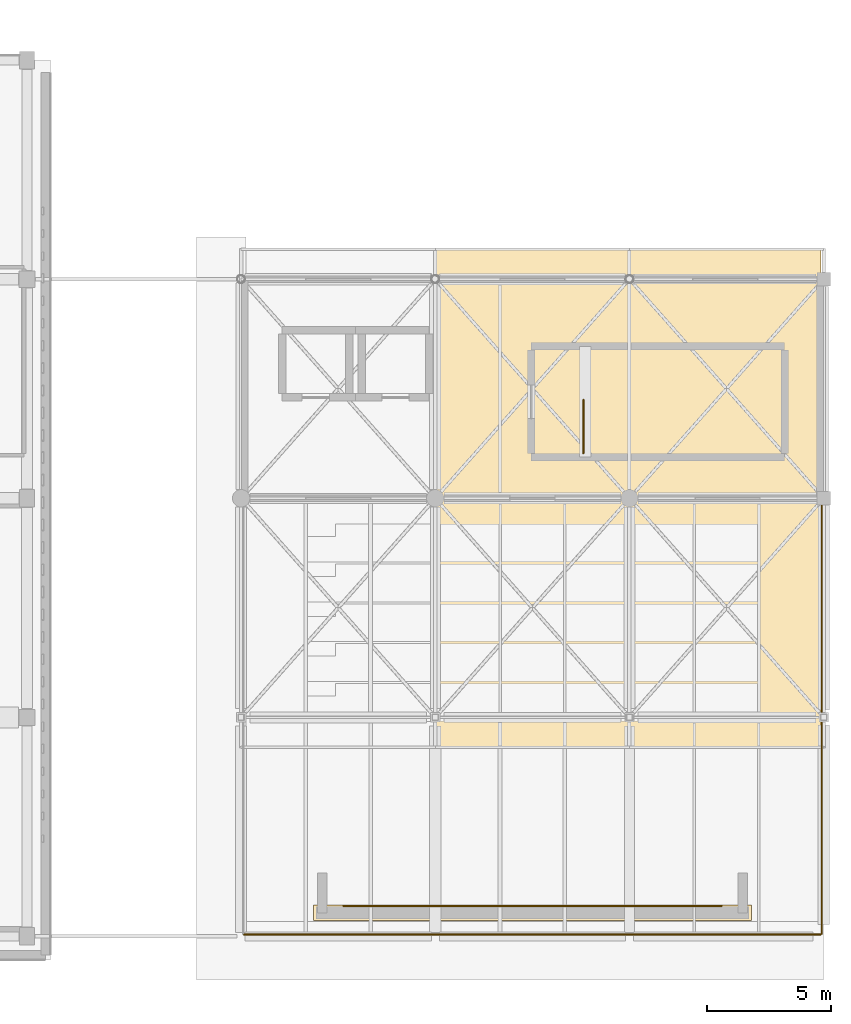
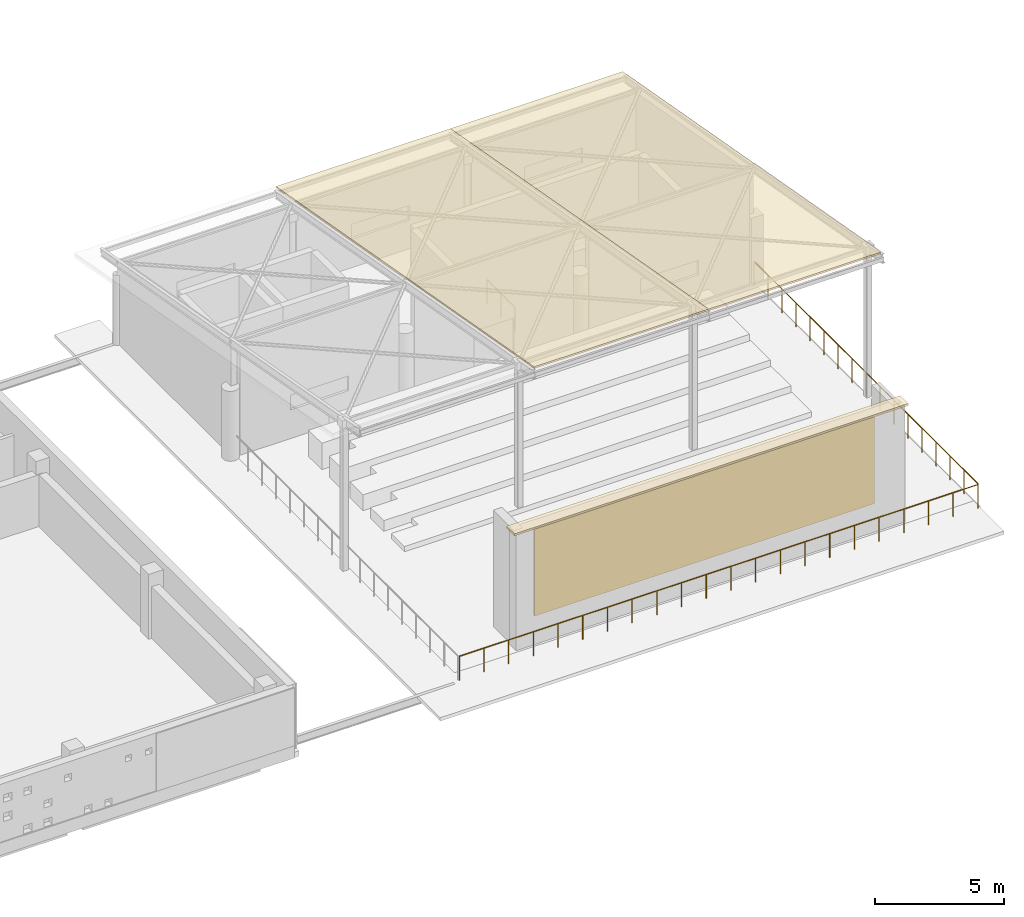
# One storey, part 34 of 34: 4 coverings, 3 railings.
"""IFC4 building model written with IfcOpenShell, lengths in metres."""

from ifc_helpers import new_model, si_unit, direction, frame, origin, origin_2d, place, context, subcontext, project, spatial, polyline, rectangle, circle, outline, extrude, material, layer, layer_set, type_object, element, save


model = new_model("IFC4")

# Units and contexts
model_context = context("Model", 3, precision=1e-05, world=origin(), true_north=direction((0.0, 1.0)))
body_context = subcontext(model_context, "Body", "Model", "MODEL_VIEW")
ifc_project = project(units=[si_unit("LENGTHUNIT", "METRE"), si_unit("AREAUNIT", "SQUARE_METRE"), si_unit("VOLUMEUNIT", "CUBIC_METRE"), si_unit("PLANEANGLEUNIT", "RADIAN"), si_unit("MASSUNIT", "GRAM", prefix="KILO")], contexts=[model_context])

# Site, building, storey
site_placement = place(None, origin())
site = spatial("IfcSite", under=ifc_project, at=site_placement, CompositionType="ELEMENT")
building_placement = place(site_placement, origin())
building = spatial("IfcBuilding", under=site, at=building_placement, Name="Varnakota Cinema and Media Centre", CompositionType="ELEMENT")
storey_placement = place(building_placement, frame((0.0, 0.0, 19.050048828125)))
storey = spatial("IfcBuildingStorey", under=building, at=storey_placement, Name="L05", CompositionType="ELEMENT", Elevation=19.050048828125)

# Coverings
ifc_material_1 = material(Name="Pale Tandur limestone cool roof", Category="masonry")
ifc_layer_1 = layer(ifc_material_1, 0.080078125)
ifc_layer_set_1 = layer_set([ifc_layer_1], Name="Pale Tandur limestone cool roof")
covering_type_1 = type_object("IfcCoveringType", Name="COV-COOLROOF-80", PredefinedType="ROOFING", material=ifc_layer_set_1)
covering_1_placement = place(storey_placement, frame((59.39990234375, 7.60009765625, 7.550048828125), z_axis=(0.0, 0.177157653077, 0.984182486105), x_axis=(1.0, 0.0, 0.0)))
element("IfcCovering", 1, at=covering_1_placement, inside=storey, type_object=covering_type_1, Name="V3 rooftop amphitheatre cool-roof panel 2", PredefinedType="ROOFING", context=body_context, shape_type="SweptSolid", body=[
    extrude(outline(polyline([(0.0, 0.0), (7.800048828125, 0.0), (7.800048828125, 20.321434573733637), (0.0, 20.321434573733637), (0.0, 0.0)])), origin(), (0.0, 0.0, -1.0), 0.070068359375),
])
covering_2_placement = place(storey_placement, frame((67.199951171875, 7.60009765625, 7.550048828125), z_axis=(0.0, 0.177157653077, 0.984182486105), x_axis=(1.0, 0.0, 0.0)))
element("IfcCovering", 2, at=covering_2_placement, inside=storey, type_object=covering_type_1, Name="V3 rooftop amphitheatre cool-roof panel 3", PredefinedType="ROOFING", context=body_context, shape_type="SweptSolid", body=[
    extrude(outline(polyline([(0.0, 0.0), (7.699951171875, 0.0), (7.699951171875, 20.321434573733637), (0.0, 20.321434573733637), (0.0, 0.0)])), origin(), (0.0, 0.0, -1.0), 0.070068359375),
])
ifc_material_2 = material(Name="Pale Tandur limestone projection screen", Category="masonry")
ifc_layer_2 = layer(ifc_material_2, 0.054931640625)
ifc_layer_set_2 = layer_set([ifc_layer_2], Name="Pale Tandur limestone projection screen")
covering_type_2 = type_object("IfcCoveringType", Name="COV-SCREEN-MATTE-55", PredefinedType="CLADDING", material=ifc_layer_set_2)
covering_3_placement = place(storey_placement, frame((63.300048828125, 1.215087890625, 0.949951171875), z_axis=(0.0, 0.0, 1.0), x_axis=(1.0, 0.0, 0.0)))
element("IfcCovering", 3, at=covering_3_placement, inside=storey, type_object=covering_type_2, Name="L05 open-air rooftop cinema projection screen surface", PredefinedType="CLADDING", context=body_context, shape_type="SweptSolid", body=[
    extrude(rectangle(XDim=15.199951171875, YDim=0.06005859375, at=origin_2d()), origin(), (0.0, 0.0, 1.0), 4.10009765625),
])
ifc_material_3 = material(Name="Pale Tandur limestone cladding", Category="masonry")
ifc_layer_3 = layer(ifc_material_3, 0.06005859375)
ifc_layer_set_3 = layer_set([ifc_layer_3], Name="Pale Tandur limestone cladding")
covering_type_3 = type_object("IfcCoveringType", Name="COV-TANDUR-ASHLAR-60", PredefinedType="CLADDING", material=ifc_layer_set_3)
covering_4_placement = place(storey_placement, frame((63.300048828125, 0.949951171875, 5.489990234375), z_axis=(0.0, 0.0, 1.0), x_axis=(1.0, 0.0, 0.0)))
element("IfcCovering", 4, at=covering_4_placement, inside=storey, type_object=covering_type_3, Name="L05 rooftop screen monolith stone coping", PredefinedType="CLADDING", context=body_context, shape_type="SweptSolid", body=[
    extrude(rectangle(XDim=17.60009765625, YDim=0.6201171875, at=origin_2d()), origin(), (0.0, 0.0, 1.0), 0.10009765625),
])

# Railings
ifc_material_4 = material(Name="Anodised golden-bronze steel Grade 350 (E350)", Category="steel")
ifc_layer_4 = layer(ifc_material_4, 0.050048828125)
ifc_layer_set_4 = layer_set([ifc_layer_4], Name="Anodised golden-bronze steel Grade 350 (E350)")
railing_type_1 = type_object("IfcRailingType", Name="RAIL-GUARD-1150", PredefinedType="BALUSTRADE", material=ifc_layer_set_4)
railing_1_placement = place(storey_placement, frame((51.7099609375, 0.080078125, 0.0)))
element("IfcRailing", 5, at=railing_1_placement, inside=storey, type_object=railing_type_1, Name="L05 guard balustrade GRD-L05-V3-2", PredefinedType="BALUSTRADE", context=body_context, shape_type="SweptSolid", body=[
    extrude(circle(Radius=0.02392578125, at=origin_2d()), frame((0.0, 0.0, 1.1259765625), z_axis=(1.0, 0.0, 0.0), x_axis=(0.0, 1.0, 0.0)), (0.0, 0.0, 1.0), 23.179931640625),
    extrude(circle(Radius=0.02099609375, at=origin_2d()), origin(), (0.0, 0.0, 1.0), 1.101806640625),
    extrude(circle(Radius=0.02099609375, at=origin_2d()), frame((1.103759765625, 0.0, 0.0)), (0.0, 0.0, 1.0), 1.101806640625),
    extrude(circle(Radius=0.02099609375, at=origin_2d()), frame((2.20751953125, 0.0, 0.0)), (0.0, 0.0, 1.0), 1.101806640625),
    extrude(circle(Radius=0.02099609375, at=origin_2d()), frame((3.3115234375, 0.0, 0.0)), (0.0, 0.0, 1.0), 1.101806640625),
    extrude(circle(Radius=0.02099609375, at=origin_2d()), frame((4.415283203125, 0.0, 0.0)), (0.0, 0.0, 1.0), 1.101806640625),
    extrude(circle(Radius=0.02099609375, at=origin_2d()), frame((5.51904296875, 0.0, 0.0)), (0.0, 0.0, 1.0), 1.101806640625),
    extrude(circle(Radius=0.02099609375, at=origin_2d()), frame((6.622802734375, 0.0, 0.0)), (0.0, 0.0, 1.0), 1.101806640625),
    extrude(circle(Radius=0.02099609375, at=origin_2d()), frame((7.7265625, 0.0, 0.0)), (0.0, 0.0, 1.0), 1.101806640625),
    extrude(circle(Radius=0.02099609375, at=origin_2d()), frame((8.83056640625, 0.0, 0.0)), (0.0, 0.0, 1.0), 1.101806640625),
    extrude(circle(Radius=0.02099609375, at=origin_2d()), frame((9.934326171875, 0.0, 0.0)), (0.0, 0.0, 1.0), 1.101806640625),
    extrude(circle(Radius=0.02099609375, at=origin_2d()), frame((11.0380859375, 0.0, 0.0)), (0.0, 0.0, 1.0), 1.101806640625),
    extrude(circle(Radius=0.02099609375, at=origin_2d()), frame((12.141845703125, 0.0, 0.0)), (0.0, 0.0, 1.0), 1.101806640625),
    extrude(circle(Radius=0.02099609375, at=origin_2d()), frame((13.24560546875, 0.0, 0.0)), (0.0, 0.0, 1.0), 1.101806640625),
    extrude(circle(Radius=0.02099609375, at=origin_2d()), frame((14.349365234375, 0.0, 0.0)), (0.0, 0.0, 1.0), 1.101806640625),
    extrude(circle(Radius=0.02099609375, at=origin_2d()), frame((15.453369140625, 0.0, 0.0)), (0.0, 0.0, 1.0), 1.101806640625),
    extrude(circle(Radius=0.02099609375, at=origin_2d()), frame((16.55712890625, 0.0, 0.0)), (0.0, 0.0, 1.0), 1.101806640625),
    extrude(circle(Radius=0.02099609375, at=origin_2d()), frame((17.660888671875, 0.0, 0.0)), (0.0, 0.0, 1.0), 1.101806640625),
    extrude(circle(Radius=0.02099609375, at=origin_2d()), frame((18.7646484375, 0.0, 0.0)), (0.0, 0.0, 1.0), 1.101806640625),
    extrude(circle(Radius=0.02099609375, at=origin_2d()), frame((19.868408203125, 0.0, 0.0)), (0.0, 0.0, 1.0), 1.101806640625),
    extrude(circle(Radius=0.02099609375, at=origin_2d()), frame((20.972412109375, 0.0, 0.0)), (0.0, 0.0, 1.0), 1.101806640625),
    extrude(circle(Radius=0.02099609375, at=origin_2d()), frame((22.076171875, 0.0, 0.0)), (0.0, 0.0, 1.0), 1.101806640625),
    extrude(circle(Radius=0.02099609375, at=origin_2d()), frame((23.179931640625, 0.0, 0.0)), (0.0, 0.0, 1.0), 1.101806640625),
])
railing_2_placement = place(storey_placement, frame((74.919921875, 0.110107421875, 0.0)))
element("IfcRailing", 6, at=railing_2_placement, inside=storey, type_object=railing_type_1, Name="L05 guard balustrade GRD-L05-V3-3", PredefinedType="BALUSTRADE", context=body_context, shape_type="SweptSolid", body=[
    extrude(circle(Radius=0.02392578125, at=origin_2d()), frame((0.0, 0.0, 1.1259765625), z_axis=(0.0, 1.0, 0.0), x_axis=(-1.0, 0.0, 0.0)), (0.0, 0.0, 1.0), 17.35986328125),
    extrude(circle(Radius=0.02099609375, at=origin_2d()), origin(), (0.0, 0.0, 1.0), 1.101806640625),
    extrude(circle(Radius=0.02099609375, at=origin_2d()), frame((0.0, 1.0849609375, 0.0)), (0.0, 0.0, 1.0), 1.101806640625),
    extrude(circle(Radius=0.02099609375, at=origin_2d()), frame((0.0, 2.169921875, 0.0)), (0.0, 0.0, 1.0), 1.101806640625),
    extrude(circle(Radius=0.02099609375, at=origin_2d()), frame((0.0, 3.2548828125, 0.0)), (0.0, 0.0, 1.0), 1.101806640625),
    extrude(circle(Radius=0.02099609375, at=origin_2d()), frame((0.0, 4.33984375, 0.0)), (0.0, 0.0, 1.0), 1.101806640625),
    extrude(circle(Radius=0.02099609375, at=origin_2d()), frame((0.0, 5.425048828125, 0.0)), (0.0, 0.0, 1.0), 1.101806640625),
    extrude(circle(Radius=0.02099609375, at=origin_2d()), frame((0.0, 6.510009765625, 0.0)), (0.0, 0.0, 1.0), 1.101806640625),
    extrude(circle(Radius=0.02099609375, at=origin_2d()), frame((0.0, 7.594970703125, 0.0)), (0.0, 0.0, 1.0), 1.101806640625),
    extrude(circle(Radius=0.02099609375, at=origin_2d()), frame((0.0, 8.679931640625, 0.0)), (0.0, 0.0, 1.0), 1.101806640625),
    extrude(circle(Radius=0.02099609375, at=origin_2d()), frame((0.0, 9.764892578125, 0.0)), (0.0, 0.0, 1.0), 1.101806640625),
    extrude(circle(Radius=0.02099609375, at=origin_2d()), frame((0.0, 10.849853515625, 0.0)), (0.0, 0.0, 1.0), 1.101806640625),
    extrude(circle(Radius=0.02099609375, at=origin_2d()), frame((0.0, 11.934814453125, 0.0)), (0.0, 0.0, 1.0), 1.101806640625),
    extrude(circle(Radius=0.02099609375, at=origin_2d()), frame((0.0, 13.02001953125, 0.0)), (0.0, 0.0, 1.0), 1.101806640625),
    extrude(circle(Radius=0.02099609375, at=origin_2d()), frame((0.0, 14.10498046875, 0.0)), (0.0, 0.0, 1.0), 1.101806640625),
    extrude(circle(Radius=0.02099609375, at=origin_2d()), frame((0.0, 15.18994140625, 0.0)), (0.0, 0.0, 1.0), 1.101806640625),
    extrude(circle(Radius=0.02099609375, at=origin_2d()), frame((0.0, 16.27490234375, 0.0)), (0.0, 0.0, 1.0), 1.101806640625),
    extrude(circle(Radius=0.02099609375, at=origin_2d()), frame((0.0, 17.35986328125, 0.0)), (0.0, 0.0, 1.0), 1.101806640625),
])
ifc_material_5 = material(Name="Structural steel Grade 350 (E350)", Category="steel")
ifc_layer_5 = layer(ifc_material_5, 0.050048828125)
ifc_layer_set_5 = layer_set([ifc_layer_5], Name="Structural steel Grade 350 (E350)")
railing_type_2 = type_object("IfcRailingType", Name="RAIL-STAIR-GUARD-1150", PredefinedType="GUARDRAIL", material=ifc_layer_set_5)
railing_3_placement = place(storey_placement, frame((65.35009765625, 19.39990234375, 0.0)))
element("IfcRailing", 7, at=railing_3_placement, inside=storey, type_object=railing_type_2, Name="L05 ST-04 top well guard 1", PredefinedType="GUARDRAIL", context=body_context, shape_type="SweptSolid", body=[
    extrude(circle(Radius=0.02392578125, at=origin_2d()), frame((0.0, 0.0, 1.1259765625), z_axis=(0.0, 1.0, 0.0), x_axis=(-1.0, 0.0, 0.0)), (0.0, 0.0, 1.0), 2.150146484375),
    extrude(circle(Radius=0.02099609375, at=origin_2d()), origin(), (0.0, 0.0, 1.0), 1.101806640625),
    extrude(circle(Radius=0.02099609375, at=origin_2d()), frame((0.0, 1.0751953125, 0.0)), (0.0, 0.0, 1.0), 1.101806640625),
    extrude(circle(Radius=0.02099609375, at=origin_2d()), frame((0.0, 2.150146484375, 0.0)), (0.0, 0.0, 1.0), 1.101806640625),
])

save(model, "model.ifc")
